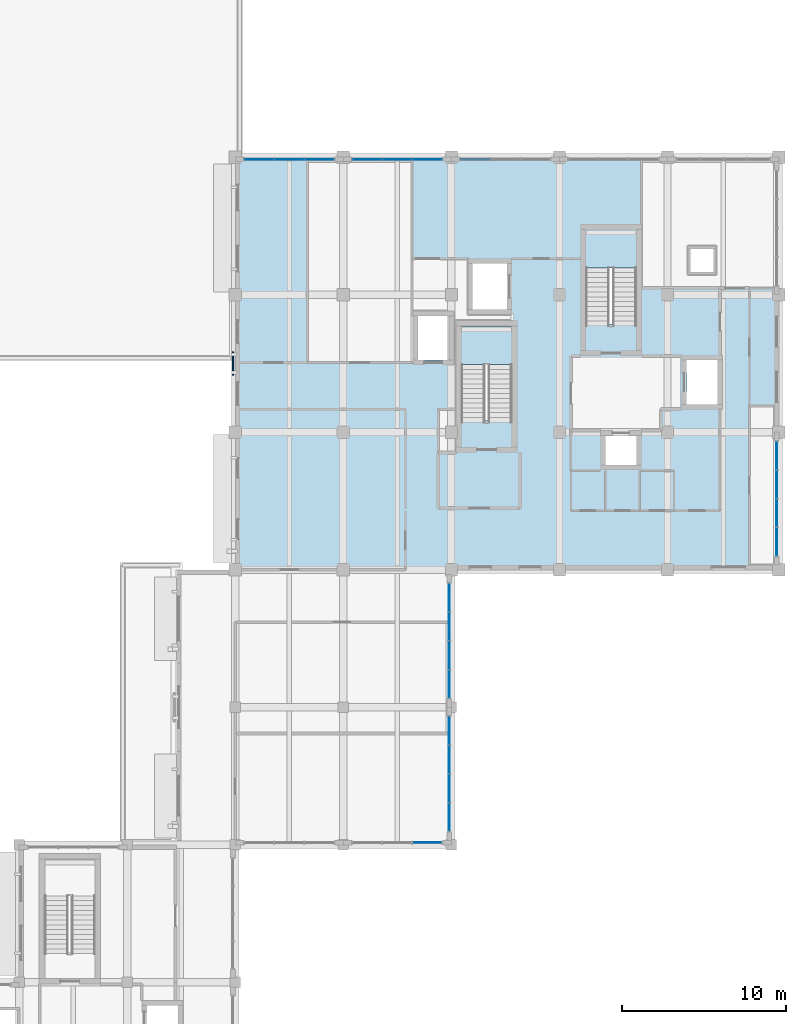
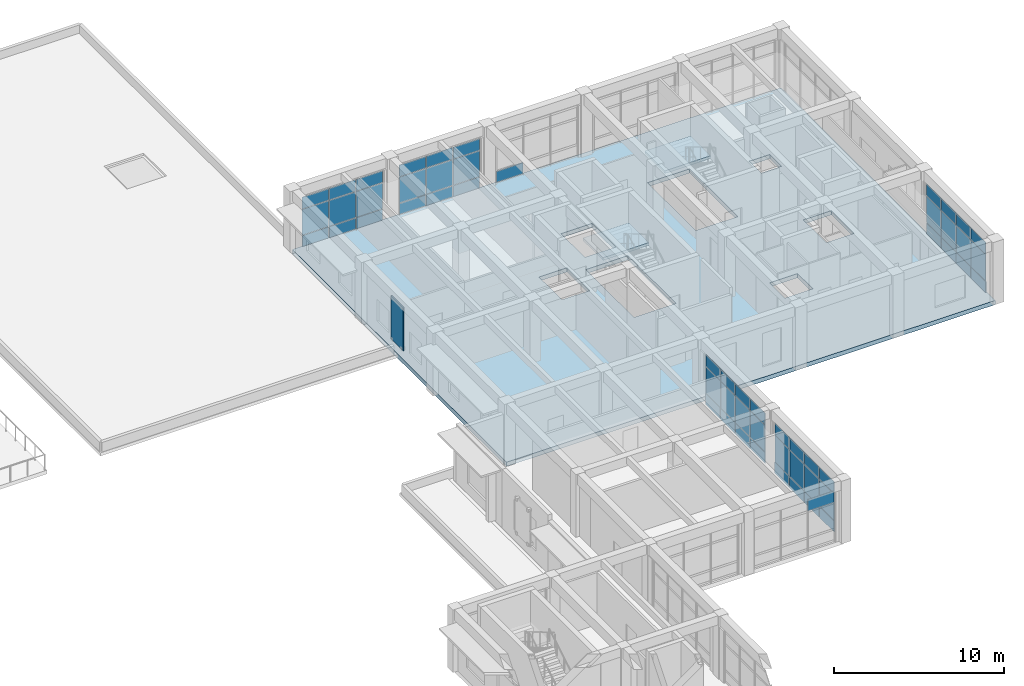
# One storey, part 24 of 50: 57 plates, 3 slabs, 9 elements without a shape of their own.
"""IFC4 building model written with IfcOpenShell, lengths in metres."""

from ifc_helpers import new_model, si_unit, direction, frame, origin, origin_2d, place, context, subcontext, project, spatial, polyline, rectangle, outline, extrude, material, layer, layer_set, type_object, element, aggregate, save


model = new_model("IFC4")

# Units and contexts
model_context = context("Model", 3, precision=1e-05, world=origin(), true_north=direction((0.0, 1.0)))
body_context = subcontext(model_context, "Body", "Model", "MODEL_VIEW")
ifc_project = project(units=[si_unit("LENGTHUNIT", "METRE"), si_unit("AREAUNIT", "SQUARE_METRE"), si_unit("VOLUMEUNIT", "CUBIC_METRE"), si_unit("PLANEANGLEUNIT", "RADIAN"), si_unit("MASSUNIT", "GRAM", prefix="KILO")], contexts=[model_context])

# Site, building, storey
site_placement = place(None, origin())
site = spatial("IfcSite", under=ifc_project, at=site_placement, CompositionType="ELEMENT")
building_placement = place(site_placement, origin())
building = spatial("IfcBuilding", under=site, at=building_placement, Name="Kolvaren Faculty of Natural Sciences", CompositionType="ELEMENT")
storey_placement = place(building_placement, frame((0.0, 0.0, 15.0)))
storey = spatial("IfcBuildingStorey", under=building, at=storey_placement, Name="L03", CompositionType="ELEMENT", Elevation=15.0)

# Curtain wall, plates
ifc_material_1 = material(Name="Thermally broken anodised aluminium framing", Category="aluminium")
ifc_layer_1 = layer(ifc_material_1, 0.179931640625)
ifc_layer_set_1 = layer_set([ifc_layer_1], Name="Thermally broken anodised aluminium framing")
curtain_wall_type_1 = type_object("IfcCurtainWallType", Name="TowerNorthCurtainWall_CW03", PredefinedType="NOTDEFINED", material=ifc_layer_set_1)
curtain_wall_1_placement = place(storey_placement, origin())
curtain_wall_1 = element("IfcCurtainWall", 1, at=curtain_wall_1_placement, inside=storey, type_object=curtain_wall_type_1, Name="L03 unitised curtain wall CW-03 (CW-L03-142)", PredefinedType="NOTDEFINED")
ifc_material_2 = material(Name="Double low-E solar control insulated glazing", Category="glass")
ifc_layer_2 = layer(ifc_material_2, 0.035888671875)
ifc_layer_set_2 = layer_set([ifc_layer_2], Name="Double low-E solar control insulated glazing")
plate_type_1 = type_object("IfcPlateType", Name="EnvelopePlate_CWPGL1", PredefinedType="CURTAIN_PANEL", material=ifc_layer_set_2)
plate_1_placement = place(storey_placement, frame((140.2666015625, 84.06005859375, 0.919921875), z_axis=(0.0, 0.0, 1.0), x_axis=(1.0, 0.0, 0.0)))
plate_1 = element("IfcPlate", 2, at=plate_1_placement, type_object=plate_type_1, Name="CW-L03-142 panel 1 V1", PredefinedType="CURTAIN_PANEL", context=body_context, shape_type="SweptSolid", body=[
    extrude(rectangle(XDim=1.783203125, YDim=0.035888671875, at=origin_2d()), origin(), (0.0, 0.0, 1.0), 1.844970703125),
])
plate_2_placement = place(storey_placement, frame((142.10009765625, 84.06005859375, 0.919921875), z_axis=(0.0, 0.0, 1.0), x_axis=(1.0, 0.0, 0.0)))
plate_2 = element("IfcPlate", 3, at=plate_2_placement, type_object=plate_type_1, Name="CW-L03-142 panel 2 V1", PredefinedType="CURTAIN_PANEL", context=body_context, shape_type="SweptSolid", body=[
    extrude(rectangle(XDim=1.783203125, YDim=0.035888671875, at=origin_2d()), origin(), (0.0, 0.0, 1.0), 1.844970703125),
])
plate_3_placement = place(storey_placement, frame((143.933349609375, 84.06005859375, 0.919921875), z_axis=(0.0, 0.0, 1.0), x_axis=(1.0, 0.0, 0.0)))
plate_3 = element("IfcPlate", 4, at=plate_3_placement, type_object=plate_type_1, Name="CW-L03-142 panel 3 V1", PredefinedType="CURTAIN_PANEL", context=body_context, shape_type="SweptSolid", body=[
    extrude(rectangle(XDim=1.783203125, YDim=0.035888671875, at=origin_2d()), origin(), (0.0, 0.0, 1.0), 1.844970703125),
])

curtain_wall_2_placement = place(storey_placement, origin())
curtain_wall_2 = element("IfcCurtainWall", 5, at=curtain_wall_2_placement, inside=storey, type_object=curtain_wall_type_1, Name="L03 unitised curtain wall CW-03 (CW-L03-143)", PredefinedType="NOTDEFINED")
plate_4_placement = place(storey_placement, frame((146.86669921875, 84.06005859375, 0.919921875), z_axis=(0.0, 0.0, 1.0), x_axis=(1.0, 0.0, 0.0)))
plate_4 = element("IfcPlate", 6, at=plate_4_placement, type_object=plate_type_1, Name="CW-L03-143 panel 1 V1", PredefinedType="CURTAIN_PANEL", context=body_context, shape_type="SweptSolid", body=[
    extrude(rectangle(XDim=1.783203125, YDim=0.035888671875, at=origin_2d()), origin(), (0.0, 0.0, 1.0), 1.844970703125),
])
plate_5_placement = place(storey_placement, frame((148.699951171875, 84.06005859375, 0.919921875), z_axis=(0.0, 0.0, 1.0), x_axis=(1.0, 0.0, 0.0)))
plate_5 = element("IfcPlate", 7, at=plate_5_placement, type_object=plate_type_1, Name="CW-L03-143 panel 2 V1", PredefinedType="CURTAIN_PANEL", context=body_context, shape_type="SweptSolid", body=[
    extrude(rectangle(XDim=1.783203125, YDim=0.035888671875, at=origin_2d()), origin(), (0.0, 0.0, 1.0), 1.844970703125),
])
plate_6_placement = place(storey_placement, frame((150.533203125, 84.06005859375, 0.919921875), z_axis=(0.0, 0.0, 1.0), x_axis=(1.0, 0.0, 0.0)))
plate_6 = element("IfcPlate", 8, at=plate_6_placement, type_object=plate_type_1, Name="CW-L03-143 panel 3 V1", PredefinedType="CURTAIN_PANEL", context=body_context, shape_type="SweptSolid", body=[
    extrude(rectangle(XDim=1.783203125, YDim=0.035888671875, at=origin_2d()), origin(), (0.0, 0.0, 1.0), 1.844970703125),
])

curtain_wall_3_placement = place(storey_placement, origin())
curtain_wall_3 = element("IfcCurtainWall", 9, at=curtain_wall_3_placement, inside=storey, type_object=curtain_wall_type_1, Name="L03 unitised curtain wall CW-03 (CW-L03-148)", PredefinedType="NOTDEFINED")
plate_7_placement = place(storey_placement, frame((171.860107421875, 65.972412109375, 0.919921875), z_axis=(0.0, 0.0, 1.0), x_axis=(0.0, -1.0, 0.0)))
plate_7 = element("IfcPlate", 10, at=plate_7_placement, type_object=plate_type_1, Name="CW-L03-148 panel 1 V1", PredefinedType="CURTAIN_PANEL", context=body_context, shape_type="SweptSolid", body=[
    extrude(rectangle(XDim=1.705078125, YDim=0.035888671875, at=origin_2d()), origin(), (0.0, 0.0, 1.0), 1.89501953125),
])
plate_8_placement = place(storey_placement, frame((171.860107421875, 64.217529296875, 0.919921875), z_axis=(0.0, 0.0, 1.0), x_axis=(0.0, -1.0, 0.0)))
plate_8 = element("IfcPlate", 11, at=plate_8_placement, type_object=plate_type_1, Name="CW-L03-148 panel 2 V1", PredefinedType="CURTAIN_PANEL", context=body_context, shape_type="SweptSolid", body=[
    extrude(rectangle(XDim=1.705078125, YDim=0.035888671875, at=origin_2d()), origin(), (0.0, 0.0, 1.0), 1.89501953125),
])
plate_9_placement = place(storey_placement, frame((171.860107421875, 62.46240234375, 0.919921875), z_axis=(0.0, 0.0, 1.0), x_axis=(0.0, -1.0, 0.0)))
plate_9 = element("IfcPlate", 12, at=plate_9_placement, type_object=plate_type_1, Name="CW-L03-148 panel 3 V1", PredefinedType="CURTAIN_PANEL", context=body_context, shape_type="SweptSolid", body=[
    extrude(rectangle(XDim=1.705078125, YDim=0.035888671875, at=origin_2d()), origin(), (0.0, 0.0, 1.0), 1.89501953125),
])
plate_10_placement = place(storey_placement, frame((171.860107421875, 60.70751953125, 0.919921875), z_axis=(0.0, 0.0, 1.0), x_axis=(0.0, -1.0, 0.0)))
plate_10 = element("IfcPlate", 13, at=plate_10_placement, type_object=plate_type_1, Name="CW-L03-148 panel 4 V1", PredefinedType="CURTAIN_PANEL", context=body_context, shape_type="SweptSolid", body=[
    extrude(rectangle(XDim=1.705078125, YDim=0.035888671875, at=origin_2d()), origin(), (0.0, 0.0, 1.0), 1.89501953125),
])

curtain_wall_4_placement = place(storey_placement, origin())
curtain_wall_4 = element("IfcCurtainWall", 14, at=curtain_wall_4_placement, inside=storey, type_object=curtain_wall_type_1, Name="L03 unitised curtain wall CW-03 (CW-L03-149)", PredefinedType="NOTDEFINED")
plate_11_placement = place(storey_placement, frame((151.860107421875, 57.29248046875, 0.919921875), z_axis=(0.0, 0.0, 1.0), x_axis=(0.0, -1.0, 0.0)))
plate_11 = element("IfcPlate", 15, at=plate_11_placement, type_object=plate_type_1, Name="CW-L03-149 panel 1 V1", PredefinedType="CURTAIN_PANEL", context=body_context, shape_type="SweptSolid", body=[
    extrude(rectangle(XDim=1.705078125, YDim=0.035888671875, at=origin_2d()), origin(), (0.0, 0.0, 1.0), 1.89501953125),
])
plate_12_placement = place(storey_placement, frame((151.860107421875, 55.53759765625, 0.919921875), z_axis=(0.0, 0.0, 1.0), x_axis=(0.0, -1.0, 0.0)))
plate_12 = element("IfcPlate", 16, at=plate_12_placement, type_object=plate_type_1, Name="CW-L03-149 panel 2 V1", PredefinedType="CURTAIN_PANEL", context=body_context, shape_type="SweptSolid", body=[
    extrude(rectangle(XDim=1.705078125, YDim=0.035888671875, at=origin_2d()), origin(), (0.0, 0.0, 1.0), 1.89501953125),
])
plate_13_placement = place(storey_placement, frame((151.860107421875, 53.782470703125, 0.919921875), z_axis=(0.0, 0.0, 1.0), x_axis=(0.0, -1.0, 0.0)))
plate_13 = element("IfcPlate", 17, at=plate_13_placement, type_object=plate_type_1, Name="CW-L03-149 panel 3 V1", PredefinedType="CURTAIN_PANEL", context=body_context, shape_type="SweptSolid", body=[
    extrude(rectangle(XDim=1.705078125, YDim=0.035888671875, at=origin_2d()), origin(), (0.0, 0.0, 1.0), 1.89501953125),
])
plate_14_placement = place(storey_placement, frame((151.860107421875, 52.027587890625, 0.919921875), z_axis=(0.0, 0.0, 1.0), x_axis=(0.0, -1.0, 0.0)))
plate_14 = element("IfcPlate", 18, at=plate_14_placement, type_object=plate_type_1, Name="CW-L03-149 panel 4 V1", PredefinedType="CURTAIN_PANEL", context=body_context, shape_type="SweptSolid", body=[
    extrude(rectangle(XDim=1.705078125, YDim=0.035888671875, at=origin_2d()), origin(), (0.0, 0.0, 1.0), 1.89501953125),
])

curtain_wall_5_placement = place(storey_placement, origin())
curtain_wall_5 = element("IfcCurtainWall", 19, at=curtain_wall_5_placement, inside=storey, type_object=curtain_wall_type_1, Name="L03 unitised curtain wall CW-03 (CW-L03-150)", PredefinedType="NOTDEFINED")
plate_15_placement = place(storey_placement, frame((151.860107421875, 49.172607421875, 0.919921875), z_axis=(0.0, 0.0, 1.0), x_axis=(0.0, -1.0, 0.0)))
plate_15 = element("IfcPlate", 20, at=plate_15_placement, type_object=plate_type_1, Name="CW-L03-150 panel 1 V1", PredefinedType="CURTAIN_PANEL", context=body_context, shape_type="SweptSolid", body=[
    extrude(rectangle(XDim=1.705078125, YDim=0.035888671875, at=origin_2d()), origin(), (0.0, 0.0, 1.0), 1.89501953125),
])
plate_16_placement = place(storey_placement, frame((151.860107421875, 47.41748046875, 0.919921875), z_axis=(0.0, 0.0, 1.0), x_axis=(0.0, -1.0, 0.0)))
plate_16 = element("IfcPlate", 21, at=plate_16_placement, type_object=plate_type_1, Name="CW-L03-150 panel 2 V1", PredefinedType="CURTAIN_PANEL", context=body_context, shape_type="SweptSolid", body=[
    extrude(rectangle(XDim=1.705078125, YDim=0.035888671875, at=origin_2d()), origin(), (0.0, 0.0, 1.0), 1.89501953125),
])
plate_17_placement = place(storey_placement, frame((151.860107421875, 45.66259765625, 0.919921875), z_axis=(0.0, 0.0, 1.0), x_axis=(0.0, -1.0, 0.0)))
plate_17 = element("IfcPlate", 22, at=plate_17_placement, type_object=plate_type_1, Name="CW-L03-150 panel 3 V1", PredefinedType="CURTAIN_PANEL", context=body_context, shape_type="SweptSolid", body=[
    extrude(rectangle(XDim=1.705078125, YDim=0.035888671875, at=origin_2d()), origin(), (0.0, 0.0, 1.0), 1.89501953125),
])
plate_18_placement = place(storey_placement, frame((151.860107421875, 43.907470703125, 0.919921875), z_axis=(0.0, 0.0, 1.0), x_axis=(0.0, -1.0, 0.0)))
plate_18 = element("IfcPlate", 23, at=plate_18_placement, type_object=plate_type_1, Name="CW-L03-150 panel 4 V1", PredefinedType="CURTAIN_PANEL", context=body_context, shape_type="SweptSolid", body=[
    extrude(rectangle(XDim=1.705078125, YDim=0.035888671875, at=origin_2d()), origin(), (0.0, 0.0, 1.0), 1.89501953125),
])

# Plate
ifc_layer_3 = layer(ifc_material_2, 0.035888671875)
ifc_layer_set_3 = layer_set([ifc_layer_3], Name="Double low-E solar control insulated glazing")
plate_type_2 = type_object("IfcPlateType", Name="EnvelopePlate_CWPGL2", PredefinedType="CURTAIN_PANEL", material=ifc_layer_set_3)
plate_19_placement = place(storey_placement, frame((140.2666015625, 84.06005859375, 2.804931640625), z_axis=(0.0, 0.0, 1.0), x_axis=(1.0, 0.0, 0.0)))
plate_19 = element("IfcPlate", 24, at=plate_19_placement, type_object=plate_type_2, Name="CW-L03-142 panel 1 V2", PredefinedType="CURTAIN_PANEL", context=body_context, shape_type="SweptSolid", body=[
    extrude(rectangle(XDim=1.783203125, YDim=0.035888671875, at=origin_2d()), origin(), (0.0, 0.0, 1.0), 0.830078125),
])

plate_20_placement = place(storey_placement, frame((142.10009765625, 84.06005859375, 2.804931640625), z_axis=(0.0, 0.0, 1.0), x_axis=(1.0, 0.0, 0.0)))
plate_20 = element("IfcPlate", 25, at=plate_20_placement, type_object=plate_type_2, Name="CW-L03-142 panel 2 V2", PredefinedType="CURTAIN_PANEL", context=body_context, shape_type="SweptSolid", body=[
    extrude(rectangle(XDim=1.783203125, YDim=0.035888671875, at=origin_2d()), origin(), (0.0, 0.0, 1.0), 0.830078125),
])

plate_21_placement = place(storey_placement, frame((143.933349609375, 84.06005859375, 2.804931640625), z_axis=(0.0, 0.0, 1.0), x_axis=(1.0, 0.0, 0.0)))
plate_21 = element("IfcPlate", 26, at=plate_21_placement, type_object=plate_type_2, Name="CW-L03-142 panel 3 V2", PredefinedType="CURTAIN_PANEL", context=body_context, shape_type="SweptSolid", body=[
    extrude(rectangle(XDim=1.783203125, YDim=0.035888671875, at=origin_2d()), origin(), (0.0, 0.0, 1.0), 0.830078125),
])

plate_22_placement = place(storey_placement, frame((146.86669921875, 84.06005859375, 2.804931640625), z_axis=(0.0, 0.0, 1.0), x_axis=(1.0, 0.0, 0.0)))
plate_22 = element("IfcPlate", 27, at=plate_22_placement, type_object=plate_type_2, Name="CW-L03-143 panel 1 V2", PredefinedType="CURTAIN_PANEL", context=body_context, shape_type="SweptSolid", body=[
    extrude(rectangle(XDim=1.783203125, YDim=0.035888671875, at=origin_2d()), origin(), (0.0, 0.0, 1.0), 0.830078125),
])

plate_23_placement = place(storey_placement, frame((148.699951171875, 84.06005859375, 2.804931640625), z_axis=(0.0, 0.0, 1.0), x_axis=(1.0, 0.0, 0.0)))
plate_23 = element("IfcPlate", 28, at=plate_23_placement, type_object=plate_type_2, Name="CW-L03-143 panel 2 V2", PredefinedType="CURTAIN_PANEL", context=body_context, shape_type="SweptSolid", body=[
    extrude(rectangle(XDim=1.783203125, YDim=0.035888671875, at=origin_2d()), origin(), (0.0, 0.0, 1.0), 0.830078125),
])

plate_24_placement = place(storey_placement, frame((150.533203125, 84.06005859375, 2.804931640625), z_axis=(0.0, 0.0, 1.0), x_axis=(1.0, 0.0, 0.0)))
plate_24 = element("IfcPlate", 29, at=plate_24_placement, type_object=plate_type_2, Name="CW-L03-143 panel 3 V2", PredefinedType="CURTAIN_PANEL", context=body_context, shape_type="SweptSolid", body=[
    extrude(rectangle(XDim=1.783203125, YDim=0.035888671875, at=origin_2d()), origin(), (0.0, 0.0, 1.0), 0.830078125),
])

plate_25_placement = place(storey_placement, frame((171.860107421875, 65.972412109375, 2.85498046875), z_axis=(0.0, 0.0, 1.0), x_axis=(0.0, -1.0, 0.0)))
plate_25 = element("IfcPlate", 30, at=plate_25_placement, type_object=plate_type_2, Name="CW-L03-148 panel 1 V2", PredefinedType="CURTAIN_PANEL", context=body_context, shape_type="SweptSolid", body=[
    extrude(rectangle(XDim=1.705078125, YDim=0.035888671875, at=origin_2d()), origin(), (0.0, 0.0, 1.0), 0.830078125),
])

plate_26_placement = place(storey_placement, frame((171.860107421875, 64.217529296875, 2.85498046875), z_axis=(0.0, 0.0, 1.0), x_axis=(0.0, -1.0, 0.0)))
plate_26 = element("IfcPlate", 31, at=plate_26_placement, type_object=plate_type_2, Name="CW-L03-148 panel 2 V2", PredefinedType="CURTAIN_PANEL", context=body_context, shape_type="SweptSolid", body=[
    extrude(rectangle(XDim=1.705078125, YDim=0.035888671875, at=origin_2d()), origin(), (0.0, 0.0, 1.0), 0.830078125),
])

plate_27_placement = place(storey_placement, frame((171.860107421875, 62.46240234375, 2.85498046875), z_axis=(0.0, 0.0, 1.0), x_axis=(0.0, -1.0, 0.0)))
plate_27 = element("IfcPlate", 32, at=plate_27_placement, type_object=plate_type_2, Name="CW-L03-148 panel 3 V2", PredefinedType="CURTAIN_PANEL", context=body_context, shape_type="SweptSolid", body=[
    extrude(rectangle(XDim=1.705078125, YDim=0.035888671875, at=origin_2d()), origin(), (0.0, 0.0, 1.0), 0.830078125),
])

plate_28_placement = place(storey_placement, frame((171.860107421875, 60.70751953125, 2.85498046875), z_axis=(0.0, 0.0, 1.0), x_axis=(0.0, -1.0, 0.0)))
plate_28 = element("IfcPlate", 33, at=plate_28_placement, type_object=plate_type_2, Name="CW-L03-148 panel 4 V2", PredefinedType="CURTAIN_PANEL", context=body_context, shape_type="SweptSolid", body=[
    extrude(rectangle(XDim=1.705078125, YDim=0.035888671875, at=origin_2d()), origin(), (0.0, 0.0, 1.0), 0.830078125),
])

plate_29_placement = place(storey_placement, frame((151.860107421875, 57.29248046875, 2.85498046875), z_axis=(0.0, 0.0, 1.0), x_axis=(0.0, -1.0, 0.0)))
plate_29 = element("IfcPlate", 34, at=plate_29_placement, type_object=plate_type_2, Name="CW-L03-149 panel 1 V2", PredefinedType="CURTAIN_PANEL", context=body_context, shape_type="SweptSolid", body=[
    extrude(rectangle(XDim=1.705078125, YDim=0.035888671875, at=origin_2d()), origin(), (0.0, 0.0, 1.0), 0.830078125),
])

plate_30_placement = place(storey_placement, frame((151.860107421875, 55.53759765625, 2.85498046875), z_axis=(0.0, 0.0, 1.0), x_axis=(0.0, -1.0, 0.0)))
plate_30 = element("IfcPlate", 35, at=plate_30_placement, type_object=plate_type_2, Name="CW-L03-149 panel 2 V2", PredefinedType="CURTAIN_PANEL", context=body_context, shape_type="SweptSolid", body=[
    extrude(rectangle(XDim=1.705078125, YDim=0.035888671875, at=origin_2d()), origin(), (0.0, 0.0, 1.0), 0.830078125),
])

plate_31_placement = place(storey_placement, frame((151.860107421875, 53.782470703125, 2.85498046875), z_axis=(0.0, 0.0, 1.0), x_axis=(0.0, -1.0, 0.0)))
plate_31 = element("IfcPlate", 36, at=plate_31_placement, type_object=plate_type_2, Name="CW-L03-149 panel 3 V2", PredefinedType="CURTAIN_PANEL", context=body_context, shape_type="SweptSolid", body=[
    extrude(rectangle(XDim=1.705078125, YDim=0.035888671875, at=origin_2d()), origin(), (0.0, 0.0, 1.0), 0.830078125),
])

plate_32_placement = place(storey_placement, frame((151.860107421875, 52.027587890625, 2.85498046875), z_axis=(0.0, 0.0, 1.0), x_axis=(0.0, -1.0, 0.0)))
plate_32 = element("IfcPlate", 37, at=plate_32_placement, type_object=plate_type_2, Name="CW-L03-149 panel 4 V2", PredefinedType="CURTAIN_PANEL", context=body_context, shape_type="SweptSolid", body=[
    extrude(rectangle(XDim=1.705078125, YDim=0.035888671875, at=origin_2d()), origin(), (0.0, 0.0, 1.0), 0.830078125),
])

plate_33_placement = place(storey_placement, frame((151.860107421875, 49.172607421875, 2.85498046875), z_axis=(0.0, 0.0, 1.0), x_axis=(0.0, -1.0, 0.0)))
plate_33 = element("IfcPlate", 38, at=plate_33_placement, type_object=plate_type_2, Name="CW-L03-150 panel 1 V2", PredefinedType="CURTAIN_PANEL", context=body_context, shape_type="SweptSolid", body=[
    extrude(rectangle(XDim=1.705078125, YDim=0.035888671875, at=origin_2d()), origin(), (0.0, 0.0, 1.0), 0.830078125),
])

plate_34_placement = place(storey_placement, frame((151.860107421875, 47.41748046875, 2.85498046875), z_axis=(0.0, 0.0, 1.0), x_axis=(0.0, -1.0, 0.0)))
plate_34 = element("IfcPlate", 39, at=plate_34_placement, type_object=plate_type_2, Name="CW-L03-150 panel 2 V2", PredefinedType="CURTAIN_PANEL", context=body_context, shape_type="SweptSolid", body=[
    extrude(rectangle(XDim=1.705078125, YDim=0.035888671875, at=origin_2d()), origin(), (0.0, 0.0, 1.0), 0.830078125),
])

plate_35_placement = place(storey_placement, frame((151.860107421875, 45.66259765625, 2.85498046875), z_axis=(0.0, 0.0, 1.0), x_axis=(0.0, -1.0, 0.0)))
plate_35 = element("IfcPlate", 40, at=plate_35_placement, type_object=plate_type_2, Name="CW-L03-150 panel 3 V2", PredefinedType="CURTAIN_PANEL", context=body_context, shape_type="SweptSolid", body=[
    extrude(rectangle(XDim=1.705078125, YDim=0.035888671875, at=origin_2d()), origin(), (0.0, 0.0, 1.0), 0.830078125),
])

plate_36_placement = place(storey_placement, frame((151.860107421875, 43.907470703125, 2.85498046875), z_axis=(0.0, 0.0, 1.0), x_axis=(0.0, -1.0, 0.0)))
plate_36 = element("IfcPlate", 41, at=plate_36_placement, type_object=plate_type_2, Name="CW-L03-150 panel 4 V2", PredefinedType="CURTAIN_PANEL", context=body_context, shape_type="SweptSolid", body=[
    extrude(rectangle(XDim=1.705078125, YDim=0.035888671875, at=origin_2d()), origin(), (0.0, 0.0, 1.0), 0.830078125),
])

# Curtain wall, plate
ifc_layer_4 = layer(ifc_material_1, 0.179931640625)
ifc_layer_set_4 = layer_set([ifc_layer_4], Name="Thermally broken anodised aluminium framing")
curtain_wall_type_2 = type_object("IfcCurtainWallType", Name="CommonsCurtainWall_CW02", PredefinedType="NOTDEFINED", material=ifc_layer_set_4)
curtain_wall_6_placement = place(storey_placement, origin())
curtain_wall_6 = element("IfcCurtainWall", 42, at=curtain_wall_6_placement, inside=storey, type_object=curtain_wall_type_2, Name="L03 unitised curtain wall CW-02 (CW-L03-151)", PredefinedType="NOTDEFINED")
plate_37_placement = place(storey_placement, frame((150.533203125, 42.340087890625, 2.804931640625), z_axis=(0.0, 0.0, 1.0), x_axis=(-1.0, 0.0, 0.0)))
plate_37 = element("IfcPlate", 43, at=plate_37_placement, type_object=plate_type_2, Name="CW-L03-151 panel 1 V2", PredefinedType="CURTAIN_PANEL", context=body_context, shape_type="SweptSolid", body=[
    extrude(rectangle(XDim=1.783203125, YDim=0.035888671875, at=origin_2d()), origin(), (0.0, 0.0, 1.0), 0.830078125),
])
aggregate(curtain_wall_6, [plate_37])

# Plate
ifc_material_3 = material(Name="Insulated anodised aluminium spandrel panel", Category="aluminium")
ifc_layer_5 = layer(ifc_material_3, 0.050048828125)
ifc_layer_set_5 = layer_set([ifc_layer_5], Name="Insulated anodised aluminium spandrel panel")
plate_type_3 = type_object("IfcPlateType", Name="EnvelopePlate_CWPSP1", PredefinedType="SHEET", material=ifc_layer_set_5)
plate_38_placement = place(storey_placement, frame((140.2666015625, 84.06005859375, 0.10009765625), z_axis=(0.0, 0.0, 1.0), x_axis=(1.0, 0.0, 0.0)))
plate_38 = element("IfcPlate", 44, at=plate_38_placement, type_object=plate_type_3, Name="CW-L03-142 panel 1 SP", PredefinedType="SHEET", context=body_context, shape_type="SweptSolid", body=[
    extrude(rectangle(XDim=1.783203125, YDim=0.050048828125, at=origin_2d()), origin(), (0.0, 0.0, 1.0), 0.780029296875),
])

plate_39_placement = place(storey_placement, frame((142.10009765625, 84.06005859375, 0.10009765625), z_axis=(0.0, 0.0, 1.0), x_axis=(1.0, 0.0, 0.0)))
plate_39 = element("IfcPlate", 45, at=plate_39_placement, type_object=plate_type_3, Name="CW-L03-142 panel 2 SP", PredefinedType="SHEET", context=body_context, shape_type="SweptSolid", body=[
    extrude(rectangle(XDim=1.783203125, YDim=0.050048828125, at=origin_2d()), origin(), (0.0, 0.0, 1.0), 0.780029296875),
])

plate_40_placement = place(storey_placement, frame((143.933349609375, 84.06005859375, 0.10009765625), z_axis=(0.0, 0.0, 1.0), x_axis=(1.0, 0.0, 0.0)))
plate_40 = element("IfcPlate", 46, at=plate_40_placement, type_object=plate_type_3, Name="CW-L03-142 panel 3 SP", PredefinedType="SHEET", context=body_context, shape_type="SweptSolid", body=[
    extrude(rectangle(XDim=1.783203125, YDim=0.050048828125, at=origin_2d()), origin(), (0.0, 0.0, 1.0), 0.780029296875),
])

aggregate(curtain_wall_1, [plate_38, plate_1, plate_19, plate_39, plate_2, plate_20, plate_40, plate_3, plate_21])

plate_41_placement = place(storey_placement, frame((146.86669921875, 84.06005859375, 0.10009765625), z_axis=(0.0, 0.0, 1.0), x_axis=(1.0, 0.0, 0.0)))
plate_41 = element("IfcPlate", 47, at=plate_41_placement, type_object=plate_type_3, Name="CW-L03-143 panel 1 SP", PredefinedType="SHEET", context=body_context, shape_type="SweptSolid", body=[
    extrude(rectangle(XDim=1.783203125, YDim=0.050048828125, at=origin_2d()), origin(), (0.0, 0.0, 1.0), 0.780029296875),
])

plate_42_placement = place(storey_placement, frame((148.699951171875, 84.06005859375, 0.10009765625), z_axis=(0.0, 0.0, 1.0), x_axis=(1.0, 0.0, 0.0)))
plate_42 = element("IfcPlate", 48, at=plate_42_placement, type_object=plate_type_3, Name="CW-L03-143 panel 2 SP", PredefinedType="SHEET", context=body_context, shape_type="SweptSolid", body=[
    extrude(rectangle(XDim=1.783203125, YDim=0.050048828125, at=origin_2d()), origin(), (0.0, 0.0, 1.0), 0.780029296875),
])

plate_43_placement = place(storey_placement, frame((150.533203125, 84.06005859375, 0.10009765625), z_axis=(0.0, 0.0, 1.0), x_axis=(1.0, 0.0, 0.0)))
plate_43 = element("IfcPlate", 49, at=plate_43_placement, type_object=plate_type_3, Name="CW-L03-143 panel 3 SP", PredefinedType="SHEET", context=body_context, shape_type="SweptSolid", body=[
    extrude(rectangle(XDim=1.783203125, YDim=0.050048828125, at=origin_2d()), origin(), (0.0, 0.0, 1.0), 0.780029296875),
])

aggregate(curtain_wall_2, [plate_41, plate_4, plate_22, plate_42, plate_5, plate_23, plate_43, plate_6, plate_24])

# Curtain wall, plate
curtain_wall_7_placement = place(storey_placement, origin())
curtain_wall_7 = element("IfcCurtainWall", 50, at=curtain_wall_7_placement, inside=storey, type_object=curtain_wall_type_1, Name="L03 unitised curtain wall CW-03 (CW-L03-144)", PredefinedType="NOTDEFINED")
plate_44_placement = place(storey_placement, frame((153.466796875, 84.06005859375, 0.10009765625), z_axis=(0.0, 0.0, 1.0), x_axis=(1.0, 0.0, 0.0)))
plate_44 = element("IfcPlate", 51, at=plate_44_placement, type_object=plate_type_3, Name="CW-L03-144 panel 1 SP", PredefinedType="SHEET", context=body_context, shape_type="SweptSolid", body=[
    extrude(rectangle(XDim=1.783203125, YDim=0.050048828125, at=origin_2d()), origin(), (0.0, 0.0, 1.0), 0.780029296875),
])
aggregate(curtain_wall_7, [plate_44])

# Plate
plate_45_placement = place(storey_placement, frame((171.860107421875, 65.972412109375, 0.10009765625), z_axis=(0.0, 0.0, 1.0), x_axis=(0.0, -1.0, 0.0)))
plate_45 = element("IfcPlate", 52, at=plate_45_placement, type_object=plate_type_3, Name="CW-L03-148 panel 1 SP", PredefinedType="SHEET", context=body_context, shape_type="SweptSolid", body=[
    extrude(rectangle(XDim=1.705078125, YDim=0.050048828125, at=origin_2d()), origin(), (0.0, 0.0, 1.0), 0.780029296875),
])

plate_46_placement = place(storey_placement, frame((171.860107421875, 64.217529296875, 0.10009765625), z_axis=(0.0, 0.0, 1.0), x_axis=(0.0, -1.0, 0.0)))
plate_46 = element("IfcPlate", 53, at=plate_46_placement, type_object=plate_type_3, Name="CW-L03-148 panel 2 SP", PredefinedType="SHEET", context=body_context, shape_type="SweptSolid", body=[
    extrude(rectangle(XDim=1.705078125, YDim=0.050048828125, at=origin_2d()), origin(), (0.0, 0.0, 1.0), 0.780029296875),
])

plate_47_placement = place(storey_placement, frame((171.860107421875, 62.46240234375, 0.10009765625), z_axis=(0.0, 0.0, 1.0), x_axis=(0.0, -1.0, 0.0)))
plate_47 = element("IfcPlate", 54, at=plate_47_placement, type_object=plate_type_3, Name="CW-L03-148 panel 3 SP", PredefinedType="SHEET", context=body_context, shape_type="SweptSolid", body=[
    extrude(rectangle(XDim=1.705078125, YDim=0.050048828125, at=origin_2d()), origin(), (0.0, 0.0, 1.0), 0.780029296875),
])

plate_48_placement = place(storey_placement, frame((171.860107421875, 60.70751953125, 0.10009765625), z_axis=(0.0, 0.0, 1.0), x_axis=(0.0, -1.0, 0.0)))
plate_48 = element("IfcPlate", 55, at=plate_48_placement, type_object=plate_type_3, Name="CW-L03-148 panel 4 SP", PredefinedType="SHEET", context=body_context, shape_type="SweptSolid", body=[
    extrude(rectangle(XDim=1.705078125, YDim=0.050048828125, at=origin_2d()), origin(), (0.0, 0.0, 1.0), 0.780029296875),
])

aggregate(curtain_wall_3, [plate_45, plate_7, plate_25, plate_46, plate_8, plate_26, plate_47, plate_9, plate_27, plate_48, plate_10, plate_28])

plate_49_placement = place(storey_placement, frame((151.860107421875, 57.29248046875, 0.10009765625), z_axis=(0.0, 0.0, 1.0), x_axis=(0.0, -1.0, 0.0)))
plate_49 = element("IfcPlate", 56, at=plate_49_placement, type_object=plate_type_3, Name="CW-L03-149 panel 1 SP", PredefinedType="SHEET", context=body_context, shape_type="SweptSolid", body=[
    extrude(rectangle(XDim=1.705078125, YDim=0.050048828125, at=origin_2d()), origin(), (0.0, 0.0, 1.0), 0.780029296875),
])

plate_50_placement = place(storey_placement, frame((151.860107421875, 55.53759765625, 0.10009765625), z_axis=(0.0, 0.0, 1.0), x_axis=(0.0, -1.0, 0.0)))
plate_50 = element("IfcPlate", 57, at=plate_50_placement, type_object=plate_type_3, Name="CW-L03-149 panel 2 SP", PredefinedType="SHEET", context=body_context, shape_type="SweptSolid", body=[
    extrude(rectangle(XDim=1.705078125, YDim=0.050048828125, at=origin_2d()), origin(), (0.0, 0.0, 1.0), 0.780029296875),
])

plate_51_placement = place(storey_placement, frame((151.860107421875, 53.782470703125, 0.10009765625), z_axis=(0.0, 0.0, 1.0), x_axis=(0.0, -1.0, 0.0)))
plate_51 = element("IfcPlate", 58, at=plate_51_placement, type_object=plate_type_3, Name="CW-L03-149 panel 3 SP", PredefinedType="SHEET", context=body_context, shape_type="SweptSolid", body=[
    extrude(rectangle(XDim=1.705078125, YDim=0.050048828125, at=origin_2d()), origin(), (0.0, 0.0, 1.0), 0.780029296875),
])

plate_52_placement = place(storey_placement, frame((151.860107421875, 52.027587890625, 0.10009765625), z_axis=(0.0, 0.0, 1.0), x_axis=(0.0, -1.0, 0.0)))
plate_52 = element("IfcPlate", 59, at=plate_52_placement, type_object=plate_type_3, Name="CW-L03-149 panel 4 SP", PredefinedType="SHEET", context=body_context, shape_type="SweptSolid", body=[
    extrude(rectangle(XDim=1.705078125, YDim=0.050048828125, at=origin_2d()), origin(), (0.0, 0.0, 1.0), 0.780029296875),
])

aggregate(curtain_wall_4, [plate_49, plate_11, plate_29, plate_50, plate_12, plate_30, plate_51, plate_13, plate_31, plate_52, plate_14, plate_32])

plate_53_placement = place(storey_placement, frame((151.860107421875, 49.172607421875, 0.10009765625), z_axis=(0.0, 0.0, 1.0), x_axis=(0.0, -1.0, 0.0)))
plate_53 = element("IfcPlate", 60, at=plate_53_placement, type_object=plate_type_3, Name="CW-L03-150 panel 1 SP", PredefinedType="SHEET", context=body_context, shape_type="SweptSolid", body=[
    extrude(rectangle(XDim=1.705078125, YDim=0.050048828125, at=origin_2d()), origin(), (0.0, 0.0, 1.0), 0.780029296875),
])

plate_54_placement = place(storey_placement, frame((151.860107421875, 47.41748046875, 0.10009765625), z_axis=(0.0, 0.0, 1.0), x_axis=(0.0, -1.0, 0.0)))
plate_54 = element("IfcPlate", 61, at=plate_54_placement, type_object=plate_type_3, Name="CW-L03-150 panel 2 SP", PredefinedType="SHEET", context=body_context, shape_type="SweptSolid", body=[
    extrude(rectangle(XDim=1.705078125, YDim=0.050048828125, at=origin_2d()), origin(), (0.0, 0.0, 1.0), 0.780029296875),
])

plate_55_placement = place(storey_placement, frame((151.860107421875, 45.66259765625, 0.10009765625), z_axis=(0.0, 0.0, 1.0), x_axis=(0.0, -1.0, 0.0)))
plate_55 = element("IfcPlate", 62, at=plate_55_placement, type_object=plate_type_3, Name="CW-L03-150 panel 3 SP", PredefinedType="SHEET", context=body_context, shape_type="SweptSolid", body=[
    extrude(rectangle(XDim=1.705078125, YDim=0.050048828125, at=origin_2d()), origin(), (0.0, 0.0, 1.0), 0.780029296875),
])

plate_56_placement = place(storey_placement, frame((151.860107421875, 43.907470703125, 0.10009765625), z_axis=(0.0, 0.0, 1.0), x_axis=(0.0, -1.0, 0.0)))
plate_56 = element("IfcPlate", 63, at=plate_56_placement, type_object=plate_type_3, Name="CW-L03-150 panel 4 SP", PredefinedType="SHEET", context=body_context, shape_type="SweptSolid", body=[
    extrude(rectangle(XDim=1.705078125, YDim=0.050048828125, at=origin_2d()), origin(), (0.0, 0.0, 1.0), 0.780029296875),
])

aggregate(curtain_wall_5, [plate_53, plate_15, plate_33, plate_54, plate_16, plate_34, plate_55, plate_17, plate_35, plate_56, plate_18, plate_36])

ifc_material_4 = material(Name="Extruded architectural terracotta screen", Category="masonry")
ifc_layer_6 = layer(ifc_material_4, 0.06494140625)
ifc_layer_set_6 = layer_set([ifc_layer_6], Name="Extruded architectural terracotta screen")
plate_type_4 = type_object("IfcPlateType", Name="EnvelopePlate_JL03", PredefinedType="USERDEFINED", material=ifc_layer_set_6)
plate_57_placement = place(storey_placement, frame((138.659912109375, 71.60009765625, 0.849853515625), z_axis=(0.0, 0.0, 1.0), x_axis=(0.0, 1.0, 0.0)))
element("IfcPlate", 64, at=plate_57_placement, inside=storey, type_object=plate_type_4, Name="L03 perforated terracotta jali sun screen JL-03", ObjectType="SCREEN", PredefinedType="USERDEFINED", context=body_context, shape_type="SweptSolid", body=[
    extrude(rectangle(XDim=1.449951171875, YDim=0.06494140625, at=origin_2d()), origin(), (0.0, 0.0, 1.0), 3.10009765625),
])

# Slab
ifc_material_5 = material(Name="Concrete C35/45", Category="concrete")
ifc_layer_7 = layer(ifc_material_5, 0.300048828125)
ifc_layer_set_7 = layer_set([ifc_layer_7], Name="Concrete C35/45")
slab_type_1 = type_object("IfcSlabType", Name="LabFloorSlab_300", PredefinedType="FLOOR", material=ifc_layer_set_7)
slab_1_placement = place(storey_placement, frame((0.0, 0.0, -0.300048828125)))
element("IfcSlab", 65, at=slab_1_placement, inside=storey, type_object=slab_type_1, Name="L03 V6 structural slab 1", PredefinedType="FLOOR", context=body_context, shape_type="SweptSolid", body=[
    extrude(outline(polyline([(138.800048828125, 59.0), (138.800048828125, 84.199951171875), (172.0, 84.199951171875), (172.0, 59.0), (138.800048828125, 59.0)]), holes=[polyline([(168.25, 71.800048828125), (166.35009765625, 71.800048828125), (166.35009765625, 69.10009765625), (168.25, 69.10009765625), (168.25, 71.800048828125)]), polyline([(168.0, 78.60009765625), (166.60009765625, 78.60009765625), (166.60009765625, 77.199951171875), (168.0, 77.199951171875), (168.0, 78.60009765625)]), polyline([(163.300048828125, 67.199951171875), (161.39990234375, 67.199951171875), (161.39990234375, 65.39990234375), (163.300048828125, 65.39990234375), (163.300048828125, 67.199951171875)]), polyline([(163.179931640625, 79.679931640625), (160.320068359375, 79.679931640625), (160.320068359375, 74.02001953125), (163.179931640625, 74.02001953125), (163.179931640625, 79.679931640625)]), polyline([(155.580078125, 73.780029296875), (152.719970703125, 73.780029296875), (152.719970703125, 68.1201171875), (155.580078125, 68.1201171875), (155.580078125, 73.780029296875)]), polyline([(155.39990234375, 77.699951171875), (153.300048828125, 77.699951171875), (153.300048828125, 74.89990234375), (155.39990234375, 74.89990234375), (155.39990234375, 77.699951171875)]), polyline([(151.85009765625, 74.5), (149.949951171875, 74.5), (149.949951171875, 71.800048828125), (151.85009765625, 71.800048828125), (151.85009765625, 74.5)])]), origin(), (0.0, 0.0, 1.0), 0.300048828125),
])

# Stair, slab
stair_type = type_object("IfcStairType", Name="DoglegStair_H4500", PredefinedType="HALF_TURN_STAIR", material=ifc_material_5)
stair_1_placement = place(storey_placement, origin())
stair_1 = element("IfcStair", 66, at=stair_1_placement, inside=storey, type_object=stair_type, Name="L03 Protected exit stair ST-1", PredefinedType="HALF_TURN_STAIR")
ifc_layer_8 = layer(ifc_material_5, 0.199951171875)
ifc_layer_set_8 = layer_set([ifc_layer_8], Name="Concrete C35/45")
slab_type_2 = type_object("IfcSlabType", Name="StairLandingSlab_200", PredefinedType="LANDING", material=ifc_layer_set_8)
slab_2_placement = place(storey_placement, frame((0.0, 0.0, 2.050048828125)))
slab_2 = element("IfcSlab", 67, at=slab_2_placement, type_object=slab_type_2, Name="ST-1 landing 1", PredefinedType="LANDING", context=body_context, shape_type="SweptSolid", body=[
    extrude(outline(polyline([(163.300048828125, 77.43994140625), (163.300048828125, 79.800048828125), (160.199951171875, 79.800048828125), (160.199951171875, 77.43994140625), (163.300048828125, 77.43994140625)])), origin(), (0.0, 0.0, 1.0), 0.199951171875),
])
aggregate(stair_1, [slab_2])

stair_2_placement = place(storey_placement, origin())
stair_2 = element("IfcStair", 68, at=stair_2_placement, inside=storey, type_object=stair_type, Name="L03 Protected exit stair ST-2", PredefinedType="HALF_TURN_STAIR")
slab_3_placement = place(storey_placement, frame((0.0, 0.0, 2.050048828125)))
slab_3 = element("IfcSlab", 69, at=slab_3_placement, type_object=slab_type_2, Name="ST-2 landing 1", PredefinedType="LANDING", context=body_context, shape_type="SweptSolid", body=[
    extrude(outline(polyline([(155.699951171875, 71.5400390625), (155.699951171875, 73.89990234375), (152.60009765625, 73.89990234375), (152.60009765625, 71.5400390625), (155.699951171875, 71.5400390625)])), origin(), (0.0, 0.0, 1.0), 0.199951171875),
])
aggregate(stair_2, [slab_3])

save(model, "model.ifc")
